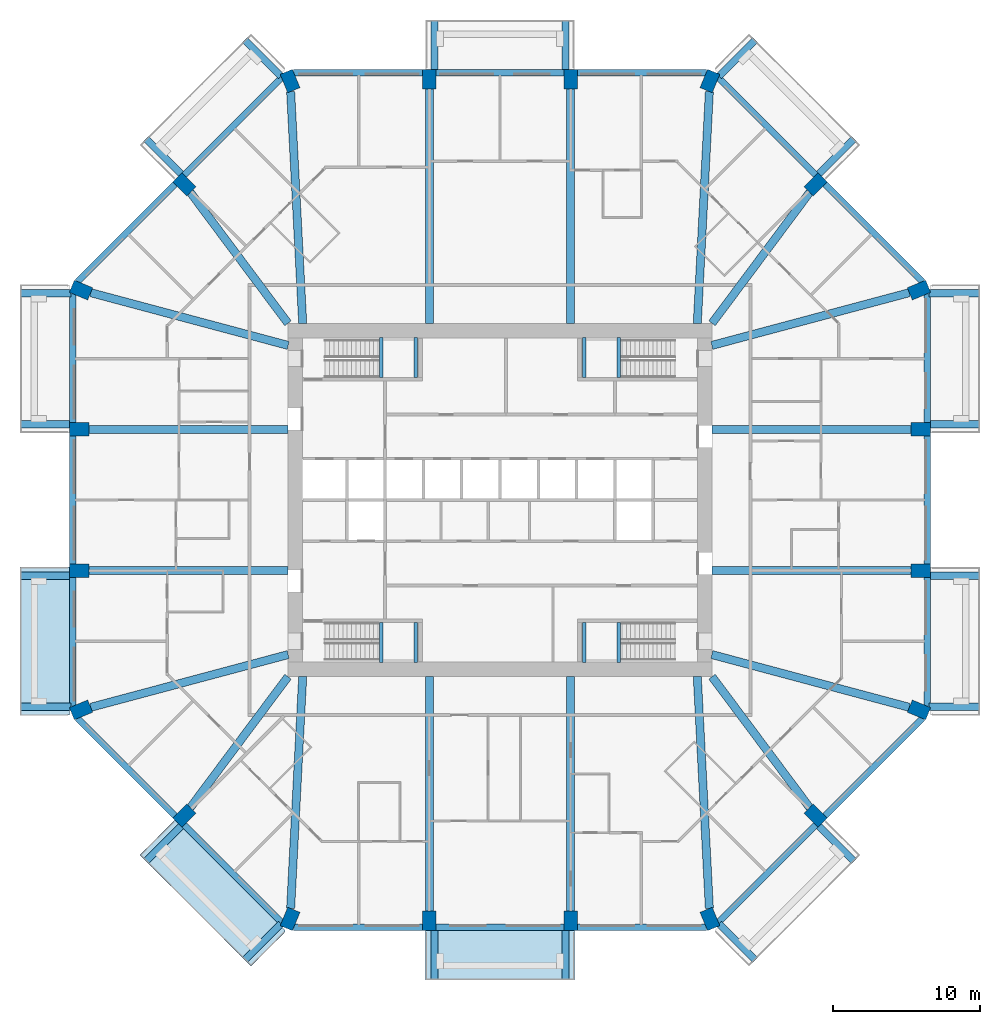
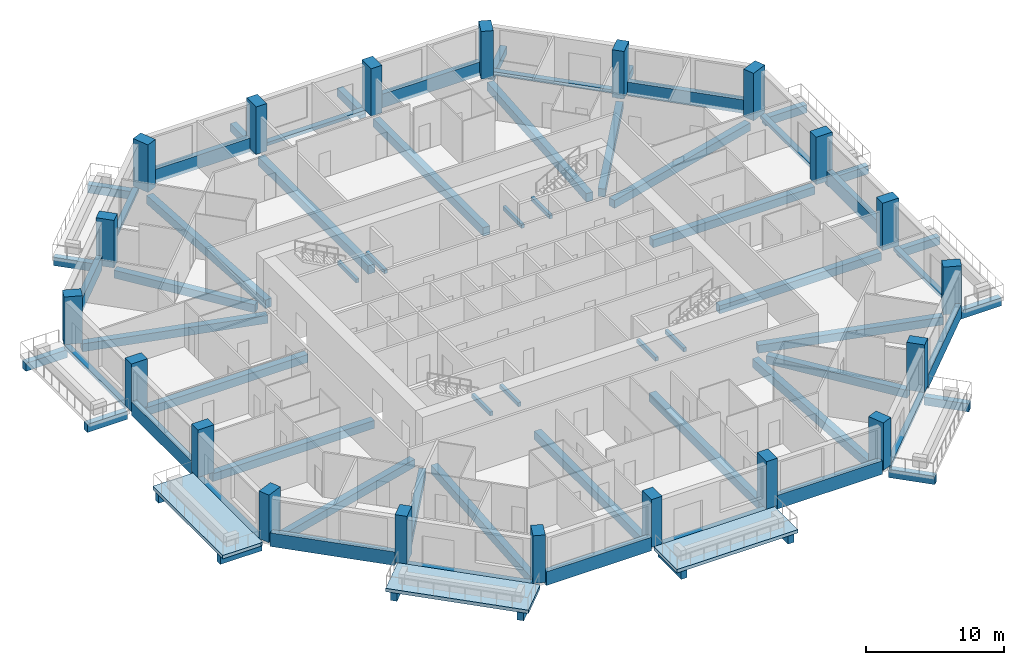
# One storey, part 1 of 13: 68 beams, 20 columns, 3 slabs.
"""IFC4 building model written with IfcOpenShell, lengths in metres."""

from ifc_helpers import new_model, si_unit, direction, frame, origin, origin_2d, place, context, subcontext, project, spatial, polyline, rectangle, outline, extrude, material, layer, layer_set, material_profile, profile_set, type_object, element, save


model = new_model("IFC4")

# Units and contexts
model_context = context("Model", 3, precision=1e-05, world=origin(), true_north=direction((0.0, 1.0)))
body_context = subcontext(model_context, "Body", "Model", "MODEL_VIEW")
ifc_project = project(units=[si_unit("LENGTHUNIT", "METRE"), si_unit("AREAUNIT", "SQUARE_METRE"), si_unit("VOLUMEUNIT", "CUBIC_METRE"), si_unit("PLANEANGLEUNIT", "RADIAN"), si_unit("MASSUNIT", "GRAM", prefix="KILO")], contexts=[model_context])

# Site, building, storey
site_placement = place(None, origin())
site = spatial("IfcSite", under=ifc_project, at=site_placement, CompositionType="ELEMENT")
building_placement = place(site_placement, origin())
building = spatial("IfcBuilding", under=site, at=building_placement, Name="Msitu Wima Residences", CompositionType="ELEMENT")
storey_placement = place(building_placement, frame((0.0, 0.0, 59.10009765625)))
storey = spatial("IfcBuildingStorey", under=building, at=storey_placement, Name="L13", CompositionType="ELEMENT", Elevation=59.10009765625)

# Columns
ifc_material_1 = material(Name="Concrete C80/95", Category="concrete")
ifc_material_profile_1 = material_profile(ifc_material_1, rectangle(XDim=0.89990234375, YDim=1.35009765625, at=origin_2d()), Name="RC 900x1350")
ifc_profile_set_1 = profile_set([ifc_material_profile_1], Name="Concrete C80/95")
column_type = type_object("IfcColumnType", Name="Column RC 900x1350 Concrete C80/95", PredefinedType="COLUMN", material=ifc_profile_set_1)
for number, where, z_axis, x_axis, name in (
    (1, (28.4541015625, -14.2568359375, 0.0), (0.0, 0.0, 1.0), (0.382683496864, 0.923879505795, 0.0), "Column L13 C-E0"),
    (2, (28.574951171875, -4.800048828125, 0.0), (0.0, 0.0, 1.0), (0.0, 1.0, 0.0), "Column L13 C-E1"),
    (3, (28.574951171875, 4.800048828125, 0.0), (0.0, 0.0, 1.0), (0.0, 1.0, 0.0), "Column L13 C-E2"),
    (4, (28.4541015625, 14.2568359375, 0.0), (0.0, 0.0, 1.0), (-0.382683496864, 0.923879505795, 0.0), "Column L13 C-NE0"),
    (5, (21.44091796875, 21.44091796875, 0.0), (0.0, 0.0, 1.0), (-0.707106781187, 0.707106781187, 0.0), "Column L13 C-NE1"),
    (6, (14.2568359375, 28.4541015625, 0.0), (0.0, 0.0, 1.0), (-0.923879505795, 0.382683496864, 0.0), "Column L13 C-N0"),
    (7, (4.800048828125, 28.574951171875, 0.0), (0.0, 0.0, 1.0), (-1.0, 0.0, 0.0), "Column L13 C-N1"),
    (8, (-4.800048828125, 28.574951171875, 0.0), (0.0, 0.0, 1.0), (-1.0, 0.0, 0.0), "Column L13 C-N2"),
    (9, (-14.2568359375, 28.4541015625, 0.0), (0.0, 0.0, 1.0), (-0.923879505795, -0.382683496864, 0.0), "Column L13 C-NW0"),
    (10, (-21.44091796875, 21.44091796875, 0.0), (0.0, 0.0, 1.0), (-0.707106781187, -0.707106781187, 0.0), "Column L13 C-NW1"),
    (11, (-28.4541015625, 14.2568359375, 0.0), (0.0, 0.0, 1.0), (-0.382683496864, -0.923879505795, 0.0), "Column L13 C-W0"),
    (12, (-28.574951171875, 4.800048828125, 0.0), (0.0, 0.0, 1.0), (0.0, -1.0, 0.0), "Column L13 C-W1"),
    (13, (-28.574951171875, -4.800048828125, 0.0), (0.0, 0.0, 1.0), (0.0, -1.0, 0.0), "Column L13 C-W2"),
    (14, (-28.4541015625, -14.2568359375, 0.0), (0.0, 0.0, 1.0), (0.382683496864, -0.923879505795, 0.0), "Column L13 C-SW0"),
    (15, (-21.44091796875, -21.44091796875, 0.0), (0.0, 0.0, 1.0), (0.707106781187, -0.707106781187, 0.0), "Column L13 C-SW1"),
    (16, (-14.2568359375, -28.4541015625, 0.0), (0.0, 0.0, 1.0), (0.923879505795, -0.382683496864, 0.0), "Column L13 C-S0"),
    (17, (-4.800048828125, -28.574951171875, 0.0), (0.0, 0.0, 1.0), (1.0, 0.0, 0.0), "Column L13 C-S1"),
    (18, (4.800048828125, -28.574951171875, 0.0), (0.0, 0.0, 1.0), (1.0, 0.0, 0.0), "Column L13 C-S2"),
    (19, (14.2568359375, -28.4541015625, 0.0), (0.0, 0.0, 1.0), (0.923879505795, 0.382683496864, 0.0), "Column L13 C-SE0"),
    (20, (21.44091796875, -21.44091796875, 0.0), (0.0, 0.0, 1.0), (0.707106781187, 0.707106781187, 0.0), "Column L13 C-SE1"),
):
    element("IfcColumn", number, at=place(storey_placement, frame(where, z_axis=z_axis, x_axis=x_axis)), inside=storey, type_object=column_type, Name=name, PredefinedType="COLUMN", context=body_context, shape_type="SweptSolid", body=[
        extrude(rectangle(XDim=0.89990234375, YDim=1.35009765625, at=origin_2d()), origin(), (0.0, 0.0, 1.0), 4.199951171875),
    ])

# Beams
ifc_material_2 = material(Name="Concrete C50/60", Category="concrete")
ifc_material_profile_2 = material_profile(ifc_material_2, rectangle(XDim=0.550048828125, YDim=0.699951171875, at=origin_2d()), Name="RC 550x700")
ifc_profile_set_2 = profile_set([ifc_material_profile_2], Name="Concrete C50/60")
beam_type_1 = type_object("IfcBeamType", Name="Beam RC 550x700 Concrete C50/60", PredefinedType="BEAM", material=ifc_profile_set_2)
beam_1_placement = place(storey_placement, frame((27.79638671875, -14.080810546875, -0.60009765625), z_axis=(-0.966081778408, 0.258236320891, 0.0), x_axis=(-0.258236320891, -0.966081778408, 0.0)))
element("IfcBeam", 21, at=beam_1_placement, inside=storey, type_object=beam_type_1, Name="Beam L13 C-E0", PredefinedType="BEAM", context=body_context, shape_type="SweptSolid", body=[
    extrude(rectangle(XDim=0.550048828125, YDim=0.699951171875, at=origin_2d()), origin(), (0.0, 0.0, 1.0), 13.878662109375),
])
for number, where, z_axis, x_axis, name in (
    (22, (27.89990234375, -4.800048828125, -0.60009765625), (-1.0, 0.0, 0.0), (0.0, -1.0, 0.0), "Beam L13 C-E1"),
    (23, (27.89990234375, 4.800048828125, -0.60009765625), (-1.0, 0.0, 0.0), (0.0, -1.0, 0.0), "Beam L13 C-E2"),
):
    element("IfcBeam", number, at=place(storey_placement, frame(where, z_axis=z_axis, x_axis=x_axis)), inside=storey, type_object=beam_type_1, Name=name, PredefinedType="BEAM", context=body_context, shape_type="SweptSolid", body=[
        extrude(rectangle(XDim=0.550048828125, YDim=0.699951171875, at=origin_2d()), origin(), (0.0, 0.0, 1.0), 13.5),
    ])
beam_2_placement = place(storey_placement, frame((27.79638671875, 14.080810546875, -0.60009765625), z_axis=(-0.966081778408, -0.258236320891, 0.0), x_axis=(0.258236320891, -0.966081778408, 0.0)))
element("IfcBeam", 24, at=beam_2_placement, inside=storey, type_object=beam_type_1, Name="Beam L13 C-NE0", PredefinedType="BEAM", context=body_context, shape_type="SweptSolid", body=[
    extrude(rectangle(XDim=0.550048828125, YDim=0.699951171875, at=origin_2d()), origin(), (0.0, 0.0, 1.0), 13.878662109375),
])
for number, where, z_axis, x_axis, name in (
    (25, (21.033203125, 20.89404296875, -0.60009765625), (-0.597850242031, -0.801607814398, 0.0), (0.801607814398, -0.597850242031, 0.0), "Beam L13 C-NE1"),
    (26, (-21.033203125, 20.89404296875, -0.60009765625), (0.597850242031, -0.801607814398, 0.0), (0.801607814398, 0.597850242031, 0.0), "Beam L13 C-NW1"),
):
    element("IfcBeam", number, at=place(storey_placement, frame(where, z_axis=z_axis, x_axis=x_axis)), inside=storey, type_object=beam_type_1, Name=name, PredefinedType="BEAM", context=body_context, shape_type="SweptSolid", body=[
        extrude(rectangle(XDim=0.550048828125, YDim=0.699951171875, at=origin_2d()), origin(), (0.0, 0.0, 1.0), 11.09521484375),
    ])
beam_3_placement = place(storey_placement, frame((-27.79638671875, 14.080810546875, -0.60009765625), z_axis=(0.966081778408, -0.258236320891, 0.0), x_axis=(0.258236320891, 0.966081778408, 0.0)))
element("IfcBeam", 27, at=beam_3_placement, inside=storey, type_object=beam_type_1, Name="Beam L13 C-W0", PredefinedType="BEAM", context=body_context, shape_type="SweptSolid", body=[
    extrude(rectangle(XDim=0.550048828125, YDim=0.699951171875, at=origin_2d()), origin(), (0.0, 0.0, 1.0), 13.878662109375),
])
for number, where, z_axis, x_axis, name in (
    (28, (-27.89990234375, 4.800048828125, -0.60009765625), (1.0, 0.0, 0.0), (0.0, 1.0, 0.0), "Beam L13 C-W1"),
    (29, (-27.89990234375, -4.800048828125, -0.60009765625), (1.0, 0.0, 0.0), (0.0, 1.0, 0.0), "Beam L13 C-W2"),
):
    element("IfcBeam", number, at=place(storey_placement, frame(where, z_axis=z_axis, x_axis=x_axis)), inside=storey, type_object=beam_type_1, Name=name, PredefinedType="BEAM", context=body_context, shape_type="SweptSolid", body=[
        extrude(rectangle(XDim=0.550048828125, YDim=0.699951171875, at=origin_2d()), origin(), (0.0, 0.0, 1.0), 13.5),
    ])
beam_4_placement = place(storey_placement, frame((-27.79638671875, -14.080810546875, -0.60009765625), z_axis=(0.966081778408, 0.258236320891, 0.0), x_axis=(-0.258236320891, 0.966081778408, 0.0)))
element("IfcBeam", 30, at=beam_4_placement, inside=storey, type_object=beam_type_1, Name="Beam L13 C-SW0", PredefinedType="BEAM", context=body_context, shape_type="SweptSolid", body=[
    extrude(rectangle(XDim=0.550048828125, YDim=0.699951171875, at=origin_2d()), origin(), (0.0, 0.0, 1.0), 13.878662109375),
])
for number, where, z_axis, x_axis, name in (
    (31, (-21.033203125, -20.89404296875, -0.60009765625), (0.597850242031, 0.801607814398, 0.0), (-0.801607814398, 0.597850242031, 0.0), "Beam L13 C-SW1"),
    (32, (21.033203125, -20.89404296875, -0.60009765625), (-0.597850242031, 0.801607814398, 0.0), (-0.801607814398, -0.597850242031, 0.0), "Beam L13 C-SE1"),
):
    element("IfcBeam", number, at=place(storey_placement, frame(where, z_axis=z_axis, x_axis=x_axis)), inside=storey, type_object=beam_type_1, Name=name, PredefinedType="BEAM", context=body_context, shape_type="SweptSolid", body=[
        extrude(rectangle(XDim=0.550048828125, YDim=0.699951171875, at=origin_2d()), origin(), (0.0, 0.0, 1.0), 11.09521484375),
    ])
ifc_material_profile_3 = material_profile(ifc_material_2, rectangle(XDim=0.550048828125, YDim=0.75, at=origin_2d()), Name="RC 550x750")
ifc_profile_set_3 = profile_set([ifc_material_profile_3], Name="Concrete C50/60")
beam_type_2 = type_object("IfcBeamType", Name="Beam RC 550x750 Concrete C50/60", PredefinedType="BEAM", material=ifc_profile_set_3)
beam_5_placement = place(storey_placement, frame((14.219482421875, 27.739013671875, -0.625), z_axis=(-0.05199418091, -0.998647387796, 0.0), x_axis=(0.998647387796, -0.05199418091, 0.0)))
element("IfcBeam", 33, at=beam_5_placement, inside=storey, type_object=beam_type_2, Name="Beam L13 C-N0", PredefinedType="BEAM", context=body_context, shape_type="SweptSolid", body=[
    extrude(rectangle(XDim=0.550048828125, YDim=0.75, at=origin_2d()), origin(), (0.0, 0.0, 1.0), 15.772216796875),
])
for number, where, z_axis, x_axis, name in (
    (34, (4.800048828125, 27.89990234375, -0.625), (0.0, -1.0, 0.0), (1.0, 0.0, 0.0), "Beam L13 C-N1"),
    (35, (-4.800048828125, 27.89990234375, -0.625), (0.0, -1.0, 0.0), (1.0, 0.0, 0.0), "Beam L13 C-N2"),
):
    element("IfcBeam", number, at=place(storey_placement, frame(where, z_axis=z_axis, x_axis=x_axis)), inside=storey, type_object=beam_type_2, Name=name, PredefinedType="BEAM", context=body_context, shape_type="SweptSolid", body=[
        extrude(rectangle(XDim=0.550048828125, YDim=0.75, at=origin_2d()), origin(), (0.0, 0.0, 1.0), 15.89990234375),
    ])
for number, where, z_axis, x_axis, name in (
    (36, (-14.219482421875, 27.739013671875, -0.625), (0.05199418091, -0.998647387796, 0.0), (0.998647387796, 0.05199418091, 0.0), "Beam L13 C-NW0"),
    (37, (-14.219482421875, -27.739013671875, -0.625), (0.05199418091, 0.998647387796, 0.0), (-0.998647387796, 0.05199418091, 0.0), "Beam L13 C-S0"),
):
    element("IfcBeam", number, at=place(storey_placement, frame(where, z_axis=z_axis, x_axis=x_axis)), inside=storey, type_object=beam_type_2, Name=name, PredefinedType="BEAM", context=body_context, shape_type="SweptSolid", body=[
        extrude(rectangle(XDim=0.550048828125, YDim=0.75, at=origin_2d()), origin(), (0.0, 0.0, 1.0), 15.772216796875),
    ])
for number, where, z_axis, x_axis, name in (
    (38, (-4.800048828125, -27.89990234375, -0.625), (0.0, 1.0, 0.0), (-1.0, 0.0, 0.0), "Beam L13 C-S1"),
    (39, (4.800048828125, -27.89990234375, -0.625), (0.0, 1.0, 0.0), (-1.0, 0.0, 0.0), "Beam L13 C-S2"),
):
    element("IfcBeam", number, at=place(storey_placement, frame(where, z_axis=z_axis, x_axis=x_axis)), inside=storey, type_object=beam_type_2, Name=name, PredefinedType="BEAM", context=body_context, shape_type="SweptSolid", body=[
        extrude(rectangle(XDim=0.550048828125, YDim=0.75, at=origin_2d()), origin(), (0.0, 0.0, 1.0), 15.89990234375),
    ])
beam_6_placement = place(storey_placement, frame((14.219482421875, -27.739013671875, -0.625), z_axis=(-0.05199418091, 0.998647387796, 0.0), x_axis=(-0.998647387796, -0.05199418091, 0.0)))
element("IfcBeam", 40, at=beam_6_placement, inside=storey, type_object=beam_type_2, Name="Beam L13 C-SE0", PredefinedType="BEAM", context=body_context, shape_type="SweptSolid", body=[
    extrude(rectangle(XDim=0.550048828125, YDim=0.75, at=origin_2d()), origin(), (0.0, 0.0, 1.0), 15.772216796875),
])
ifc_material_profile_4 = material_profile(ifc_material_2, rectangle(XDim=0.5, YDim=0.699951171875, at=origin_2d()), Name="RC 500x700")
ifc_profile_set_4 = profile_set([ifc_material_profile_4], Name="Concrete C50/60")
beam_type_3 = type_object("IfcBeamType", Name="Cantilever beam RC 500x700 Concrete C50/60", PredefinedType="BEAM", material=ifc_profile_set_4)
beam_7_placement = place(storey_placement, frame((29.130859375, -14.050048828125, -0.650146484375), z_axis=(1.0, 0.0, 0.0), x_axis=(0.0, 1.0, 0.0)))
element("IfcBeam", 41, at=beam_7_placement, inside=storey, type_object=beam_type_3, Name="Cantilever beam L13 BA-E0 A", PredefinedType="BEAM", context=body_context, shape_type="SweptSolid", body=[
    extrude(rectangle(XDim=0.5, YDim=0.699951171875, at=origin_2d()), origin(), (0.0, 0.0, 1.0), 3.46923828125),
])
for number, where, z_axis, x_axis, name in (
    (42, (29.25, -5.14990234375, -0.650146484375), (1.0, 0.0, 0.0), (0.0, 1.0, 0.0), "Cantilever beam L13 BA-E0 B"),
    (43, (29.25, 5.14990234375, -0.650146484375), (1.0, 0.0, 0.0), (0.0, 1.0, 0.0), "Cantilever beam L13 BA-E2 A"),
):
    element("IfcBeam", number, at=place(storey_placement, frame(where, z_axis=z_axis, x_axis=x_axis)), inside=storey, type_object=beam_type_3, Name=name, PredefinedType="BEAM", context=body_context, shape_type="SweptSolid", body=[
        extrude(rectangle(XDim=0.5, YDim=0.699951171875, at=origin_2d()), origin(), (0.0, 0.0, 1.0), 3.35009765625),
    ])
beam_8_placement = place(storey_placement, frame((29.130859375, 14.050048828125, -0.650146484375), z_axis=(1.0, 0.0, 0.0), x_axis=(0.0, 1.0, 0.0)))
element("IfcBeam", 44, at=beam_8_placement, inside=storey, type_object=beam_type_3, Name="Cantilever beam L13 BA-E2 B", PredefinedType="BEAM", context=body_context, shape_type="SweptSolid", body=[
    extrude(rectangle(XDim=0.5, YDim=0.699951171875, at=origin_2d()), origin(), (0.0, 0.0, 1.0), 3.46923828125),
])
beam_9_placement = place(storey_placement, frame((21.670654296875, 22.165771484375, -0.650146484375), z_axis=(0.707143219659, 0.707070340836, 0.0), x_axis=(-0.707070340836, 0.707143219659, 0.0)))
element("IfcBeam", 45, at=beam_9_placement, inside=storey, type_object=beam_type_3, Name="Cantilever beam L13 BA-NE1 A", PredefinedType="BEAM", context=body_context, shape_type="SweptSolid", body=[
    extrude(rectangle(XDim=0.5, YDim=0.699951171875, at=origin_2d()), origin(), (0.0, 0.0, 1.0), 3.349853515625),
])
beam_10_placement = place(storey_placement, frame((14.881591796875, 28.78662109375, -0.650146484375), z_axis=(0.707106781187, 0.707106781187, 0.0), x_axis=(-0.707106781187, 0.707106781187, 0.0)))
element("IfcBeam", 46, at=beam_10_placement, inside=storey, type_object=beam_type_3, Name="Cantilever beam L13 BA-NE1 B", PredefinedType="BEAM", context=body_context, shape_type="SweptSolid", body=[
    extrude(rectangle(XDim=0.5, YDim=0.699951171875, at=origin_2d()), origin(), (0.0, 0.0, 1.0), 3.468994140625),
])
for number, where, z_axis, x_axis, name in (
    (47, (4.449951171875, 29.25, -0.650146484375), (0.0, 1.0, 0.0), (-1.0, 0.0, 0.0), "Cantilever beam L13 BA-N1 A"),
    (48, (-4.449951171875, 29.25, -0.650146484375), (0.0, 1.0, 0.0), (-1.0, 0.0, 0.0), "Cantilever beam L13 BA-N1 B"),
):
    element("IfcBeam", number, at=place(storey_placement, frame(where, z_axis=z_axis, x_axis=x_axis)), inside=storey, type_object=beam_type_3, Name=name, PredefinedType="BEAM", context=body_context, shape_type="SweptSolid", body=[
        extrude(rectangle(XDim=0.5, YDim=0.699951171875, at=origin_2d()), origin(), (0.0, 0.0, 1.0), 3.35009765625),
    ])
beam_11_placement = place(storey_placement, frame((-14.881591796875, 28.78662109375, -0.650146484375), z_axis=(-0.707106781187, 0.707106781187, 0.0), x_axis=(-0.707106781187, -0.707106781187, 0.0)))
element("IfcBeam", 49, at=beam_11_placement, inside=storey, type_object=beam_type_3, Name="Cantilever beam L13 BA-NW0 A", PredefinedType="BEAM", context=body_context, shape_type="SweptSolid", body=[
    extrude(rectangle(XDim=0.5, YDim=0.699951171875, at=origin_2d()), origin(), (0.0, 0.0, 1.0), 3.468994140625),
])
beam_12_placement = place(storey_placement, frame((-21.670654296875, 22.165771484375, -0.650146484375), z_axis=(-0.707143219659, 0.707070340836, 0.0), x_axis=(-0.707070340836, -0.707143219659, 0.0)))
element("IfcBeam", 50, at=beam_12_placement, inside=storey, type_object=beam_type_3, Name="Cantilever beam L13 BA-NW0 B", PredefinedType="BEAM", context=body_context, shape_type="SweptSolid", body=[
    extrude(rectangle(XDim=0.5, YDim=0.699951171875, at=origin_2d()), origin(), (0.0, 0.0, 1.0), 3.349853515625),
])
beam_13_placement = place(storey_placement, frame((-29.130859375, 14.050048828125, -0.650146484375), z_axis=(-1.0, 0.0, 0.0), x_axis=(0.0, -1.0, 0.0)))
element("IfcBeam", 51, at=beam_13_placement, inside=storey, type_object=beam_type_3, Name="Cantilever beam L13 BA-W0 A", PredefinedType="BEAM", context=body_context, shape_type="SweptSolid", body=[
    extrude(rectangle(XDim=0.5, YDim=0.699951171875, at=origin_2d()), origin(), (0.0, 0.0, 1.0), 3.46923828125),
])
for number, where, z_axis, x_axis, name in (
    (52, (-29.25, 5.14990234375, -0.650146484375), (-1.0, 0.0, 0.0), (0.0, -1.0, 0.0), "Cantilever beam L13 BA-W0 B"),
    (53, (-29.25, -5.14990234375, -0.650146484375), (-1.0, 0.0, 0.0), (0.0, -1.0, 0.0), "Cantilever beam L13 BA-W2 A"),
):
    element("IfcBeam", number, at=place(storey_placement, frame(where, z_axis=z_axis, x_axis=x_axis)), inside=storey, type_object=beam_type_3, Name=name, PredefinedType="BEAM", context=body_context, shape_type="SweptSolid", body=[
        extrude(rectangle(XDim=0.5, YDim=0.699951171875, at=origin_2d()), origin(), (0.0, 0.0, 1.0), 3.35009765625),
    ])
beam_14_placement = place(storey_placement, frame((-29.130859375, -14.050048828125, -0.650146484375), z_axis=(-1.0, 0.0, 0.0), x_axis=(0.0, -1.0, 0.0)))
element("IfcBeam", 54, at=beam_14_placement, inside=storey, type_object=beam_type_3, Name="Cantilever beam L13 BA-W2 B", PredefinedType="BEAM", context=body_context, shape_type="SweptSolid", body=[
    extrude(rectangle(XDim=0.5, YDim=0.699951171875, at=origin_2d()), origin(), (0.0, 0.0, 1.0), 3.46923828125),
])
beam_15_placement = place(storey_placement, frame((-21.670654296875, -22.165771484375, -0.650146484375), z_axis=(-0.707143219659, -0.707070340836, 0.0), x_axis=(0.707070340836, -0.707143219659, 0.0)))
element("IfcBeam", 55, at=beam_15_placement, inside=storey, type_object=beam_type_3, Name="Cantilever beam L13 BA-SW1 A", PredefinedType="BEAM", context=body_context, shape_type="SweptSolid", body=[
    extrude(rectangle(XDim=0.5, YDim=0.699951171875, at=origin_2d()), origin(), (0.0, 0.0, 1.0), 3.349853515625),
])
beam_16_placement = place(storey_placement, frame((-14.881591796875, -28.78662109375, -0.650146484375), z_axis=(-0.707106781187, -0.707106781187, 0.0), x_axis=(0.707106781187, -0.707106781187, 0.0)))
element("IfcBeam", 56, at=beam_16_placement, inside=storey, type_object=beam_type_3, Name="Cantilever beam L13 BA-SW1 B", PredefinedType="BEAM", context=body_context, shape_type="SweptSolid", body=[
    extrude(rectangle(XDim=0.5, YDim=0.699951171875, at=origin_2d()), origin(), (0.0, 0.0, 1.0), 3.468994140625),
])
for number, where, z_axis, x_axis, name in (
    (57, (-4.449951171875, -29.25, -0.650146484375), (0.0, -1.0, 0.0), (1.0, 0.0, 0.0), "Cantilever beam L13 BA-S1 A"),
    (58, (4.449951171875, -29.25, -0.650146484375), (0.0, -1.0, 0.0), (1.0, 0.0, 0.0), "Cantilever beam L13 BA-S1 B"),
):
    element("IfcBeam", number, at=place(storey_placement, frame(where, z_axis=z_axis, x_axis=x_axis)), inside=storey, type_object=beam_type_3, Name=name, PredefinedType="BEAM", context=body_context, shape_type="SweptSolid", body=[
        extrude(rectangle(XDim=0.5, YDim=0.699951171875, at=origin_2d()), origin(), (0.0, 0.0, 1.0), 3.35009765625),
    ])
beam_17_placement = place(storey_placement, frame((14.881591796875, -28.78662109375, -0.650146484375), z_axis=(0.707106781187, -0.707106781187, 0.0), x_axis=(0.707106781187, 0.707106781187, 0.0)))
element("IfcBeam", 59, at=beam_17_placement, inside=storey, type_object=beam_type_3, Name="Cantilever beam L13 BA-SE0 A", PredefinedType="BEAM", context=body_context, shape_type="SweptSolid", body=[
    extrude(rectangle(XDim=0.5, YDim=0.699951171875, at=origin_2d()), origin(), (0.0, 0.0, 1.0), 3.468994140625),
])
beam_18_placement = place(storey_placement, frame((21.670654296875, -22.165771484375, -0.650146484375), z_axis=(0.707143219659, -0.707070340836, 0.0), x_axis=(0.707070340836, 0.707143219659, 0.0)))
element("IfcBeam", 60, at=beam_18_placement, inside=storey, type_object=beam_type_3, Name="Cantilever beam L13 BA-SE0 B", PredefinedType="BEAM", context=body_context, shape_type="SweptSolid", body=[
    extrude(rectangle(XDim=0.5, YDim=0.699951171875, at=origin_2d()), origin(), (0.0, 0.0, 1.0), 3.349853515625),
])
ifc_material_profile_5 = material_profile(ifc_material_2, rectangle(XDim=0.449951171875, YDim=0.300048828125, at=origin_2d()), Name="RC 450x300")
ifc_profile_set_5 = profile_set([ifc_material_profile_5], Name="Concrete C50/60")
beam_type_4 = type_object("IfcBeamType", Name="Edge beam RC 450x300 Concrete C50/60", PredefinedType="SPANDREL", material=ifc_profile_set_5)
for number, where, z_axis, x_axis, name in (
    (61, (29.02490234375, -14.01806640625, -0.150146484375), (0.0, 1.0, 0.0), (-1.0, 0.0, 0.0), "Spandrel L13 E0"),
    (62, (29.02490234375, 5.25, -0.150146484375), (0.0, 1.0, 0.0), (-1.0, 0.0, 0.0), "Spandrel L13 E2"),
):
    element("IfcBeam", number, at=place(storey_placement, frame(where, z_axis=z_axis, x_axis=x_axis)), inside=storey, type_object=beam_type_4, Name=name, PredefinedType="SPANDREL", context=body_context, shape_type="SweptSolid", body=[
        extrude(rectangle(XDim=0.449951171875, YDim=0.300048828125, at=origin_2d()), origin(), (0.0, 0.0, 1.0), 8.76806640625),
    ])
beam_19_placement = place(storey_placement, frame((21.44091796875, 22.077392578125, -0.150146484375), z_axis=(-0.707119836229, 0.707093725903, 0.0), x_axis=(-0.707093725903, -0.707119836229, 0.0)))
element("IfcBeam", 63, at=beam_19_placement, inside=storey, type_object=beam_type_4, Name="Spandrel L13 NE1", PredefinedType="SPANDREL", context=body_context, shape_type="SweptSolid", body=[
    extrude(rectangle(XDim=0.449951171875, YDim=0.300048828125, at=origin_2d()), origin(), (0.0, 0.0, 1.0), 9.350341796875),
])
beam_20_placement = place(storey_placement, frame((4.35009765625, 29.02490234375, -0.150146484375), z_axis=(-1.0, 0.0, 0.0), x_axis=(0.0, -1.0, 0.0)))
element("IfcBeam", 64, at=beam_20_placement, inside=storey, type_object=beam_type_4, Name="Spandrel L13 N1", PredefinedType="SPANDREL", context=body_context, shape_type="SweptSolid", body=[
    extrude(rectangle(XDim=0.449951171875, YDim=0.300048828125, at=origin_2d()), origin(), (0.0, 0.0, 1.0), 8.7001953125),
])
beam_21_placement = place(storey_placement, frame((-14.8291015625, 28.68896484375, -0.150146484375), z_axis=(-0.707119836229, -0.707093725903, 0.0), x_axis=(0.707093725903, -0.707119836229, 0.0)))
element("IfcBeam", 65, at=beam_21_placement, inside=storey, type_object=beam_type_4, Name="Spandrel L13 NW0", PredefinedType="SPANDREL", context=body_context, shape_type="SweptSolid", body=[
    extrude(rectangle(XDim=0.449951171875, YDim=0.300048828125, at=origin_2d()), origin(), (0.0, 0.0, 1.0), 9.350341796875),
])
for number, where, z_axis, x_axis, name in (
    (66, (-29.02490234375, 14.01806640625, -0.150146484375), (0.0, -1.0, 0.0), (1.0, 0.0, 0.0), "Spandrel L13 W0"),
    (67, (-29.02490234375, -5.25, -0.150146484375), (0.0, -1.0, 0.0), (1.0, 0.0, 0.0), "Spandrel L13 W2"),
):
    element("IfcBeam", number, at=place(storey_placement, frame(where, z_axis=z_axis, x_axis=x_axis)), inside=storey, type_object=beam_type_4, Name=name, PredefinedType="SPANDREL", context=body_context, shape_type="SweptSolid", body=[
        extrude(rectangle(XDim=0.449951171875, YDim=0.300048828125, at=origin_2d()), origin(), (0.0, 0.0, 1.0), 8.76806640625),
    ])
beam_22_placement = place(storey_placement, frame((-21.44091796875, -22.077392578125, -0.150146484375), z_axis=(0.707119836229, -0.707093725903, 0.0), x_axis=(0.707093725903, 0.707119836229, 0.0)))
element("IfcBeam", 68, at=beam_22_placement, inside=storey, type_object=beam_type_4, Name="Spandrel L13 SW1", PredefinedType="SPANDREL", context=body_context, shape_type="SweptSolid", body=[
    extrude(rectangle(XDim=0.449951171875, YDim=0.300048828125, at=origin_2d()), origin(), (0.0, 0.0, 1.0), 9.350341796875),
])
beam_23_placement = place(storey_placement, frame((-4.35009765625, -29.02490234375, -0.150146484375), z_axis=(1.0, 0.0, 0.0), x_axis=(0.0, 1.0, 0.0)))
element("IfcBeam", 69, at=beam_23_placement, inside=storey, type_object=beam_type_4, Name="Spandrel L13 S1", PredefinedType="SPANDREL", context=body_context, shape_type="SweptSolid", body=[
    extrude(rectangle(XDim=0.449951171875, YDim=0.300048828125, at=origin_2d()), origin(), (0.0, 0.0, 1.0), 8.7001953125),
])
beam_24_placement = place(storey_placement, frame((14.8291015625, -28.68896484375, -0.150146484375), z_axis=(0.707119836229, 0.707093725903, 0.0), x_axis=(-0.707093725903, 0.707119836229, 0.0)))
element("IfcBeam", 70, at=beam_24_placement, inside=storey, type_object=beam_type_4, Name="Spandrel L13 SE0", PredefinedType="SPANDREL", context=body_context, shape_type="SweptSolid", body=[
    extrude(rectangle(XDim=0.449951171875, YDim=0.300048828125, at=origin_2d()), origin(), (0.0, 0.0, 1.0), 9.350341796875),
])
ifc_material_3 = material(Name="Concrete C40/50", Category="concrete")
ifc_material_profile_6 = material_profile(ifc_material_3, rectangle(XDim=0.25, YDim=0.35009765625, at=origin_2d()), Name="RC 250x350")
ifc_profile_set_6 = profile_set([ifc_material_profile_6], Name="Concrete C40/50")
beam_type_5 = type_object("IfcBeamType", Name="Landing beam RC 250x350", PredefinedType="BEAM", material=ifc_profile_set_6)
for number, where, z_axis, x_axis, name in (
    (71, (-8.074951171875, 8.324951171875, 1.724853515625), (0.0, 1.0, 0.0), (-1.0, 0.0, 0.0), "Stair 1 landing beam"),
    (72, (-5.72509765625, 8.324951171875, 1.724853515625), (0.0, 1.0, 0.0), (-1.0, 0.0, 0.0), "Stair 1 landing beam"),
    (73, (-8.074951171875, -11.02490234375, 1.724853515625), (0.0, 1.0, 0.0), (-1.0, 0.0, 0.0), "Stair 2 landing beam"),
    (74, (-5.72509765625, -11.02490234375, 1.724853515625), (0.0, 1.0, 0.0), (-1.0, 0.0, 0.0), "Stair 2 landing beam"),
    (75, (8.074951171875, 8.324951171875, 1.724853515625), (0.0, 1.0, 0.0), (-1.0, 0.0, 0.0), "Stair 3 landing beam"),
    (76, (5.72509765625, 8.324951171875, 1.724853515625), (0.0, 1.0, 0.0), (-1.0, 0.0, 0.0), "Stair 3 landing beam"),
    (77, (8.074951171875, -11.02490234375, 1.724853515625), (0.0, 1.0, 0.0), (-1.0, 0.0, 0.0), "Stair 4 landing beam"),
    (78, (5.72509765625, -11.02490234375, 1.724853515625), (0.0, 1.0, 0.0), (-1.0, 0.0, 0.0), "Stair 4 landing beam"),
):
    element("IfcBeam", number, at=place(storey_placement, frame(where, z_axis=z_axis, x_axis=x_axis)), inside=storey, type_object=beam_type_5, Name=name, PredefinedType="BEAM", context=body_context, shape_type="SweptSolid", body=[
        extrude(rectangle(XDim=0.25, YDim=0.35009765625, at=origin_2d()), origin(), (0.0, 0.0, 1.0), 2.699951171875),
    ])
ifc_material_profile_7 = material_profile(ifc_material_2, rectangle(XDim=0.449951171875, YDim=1.199951171875, at=origin_2d()), Name="RC 450x1200")
ifc_profile_set_7 = profile_set([ifc_material_profile_7], Name="Concrete C50/60")
beam_type_6 = type_object("IfcBeamType", Name="Spandrel RC 450x1200 Concrete C50/60", PredefinedType="SPANDREL", material=ifc_profile_set_7)
beam_25_placement = place(storey_placement, frame((29.02490234375, -4.35009765625, 0.2998046875), z_axis=(0.0, 1.0, 0.0), x_axis=(-1.0, 0.0, 0.0)))
element("IfcBeam", 79, at=beam_25_placement, inside=storey, type_object=beam_type_6, Name="Spandrel L13 E1", PredefinedType="SPANDREL", context=body_context, shape_type="SweptSolid", body=[
    extrude(rectangle(XDim=0.449951171875, YDim=1.199951171875, at=origin_2d()), origin(), (0.0, 0.0, 1.0), 8.7001953125),
])
beam_26_placement = place(storey_placement, frame((28.68896484375, 14.8291015625, 0.2998046875), z_axis=(-0.707093725903, 0.707119836229, 0.0), x_axis=(-0.707119836229, -0.707093725903, 0.0)))
element("IfcBeam", 80, at=beam_26_placement, inside=storey, type_object=beam_type_6, Name="Spandrel L13 NE0", PredefinedType="SPANDREL", context=body_context, shape_type="SweptSolid", body=[
    extrude(rectangle(XDim=0.449951171875, YDim=1.199951171875, at=origin_2d()), origin(), (0.0, 0.0, 1.0), 9.350341796875),
])
for number, where, z_axis, x_axis, name in (
    (81, (14.01806640625, 29.02490234375, 0.2998046875), (-1.0, 0.0, 0.0), (0.0, -1.0, 0.0), "Spandrel L13 N0"),
    (82, (-5.25, 29.02490234375, 0.2998046875), (-1.0, 0.0, 0.0), (0.0, -1.0, 0.0), "Spandrel L13 N2"),
):
    element("IfcBeam", number, at=place(storey_placement, frame(where, z_axis=z_axis, x_axis=x_axis)), inside=storey, type_object=beam_type_6, Name=name, PredefinedType="SPANDREL", context=body_context, shape_type="SweptSolid", body=[
        extrude(rectangle(XDim=0.449951171875, YDim=1.199951171875, at=origin_2d()), origin(), (0.0, 0.0, 1.0), 8.76806640625),
    ])
beam_27_placement = place(storey_placement, frame((-22.077392578125, 21.44091796875, 0.2998046875), z_axis=(-0.707093725903, -0.707119836229, 0.0), x_axis=(0.707119836229, -0.707093725903, 0.0)))
element("IfcBeam", 83, at=beam_27_placement, inside=storey, type_object=beam_type_6, Name="Spandrel L13 NW1", PredefinedType="SPANDREL", context=body_context, shape_type="SweptSolid", body=[
    extrude(rectangle(XDim=0.449951171875, YDim=1.199951171875, at=origin_2d()), origin(), (0.0, 0.0, 1.0), 9.350341796875),
])
beam_28_placement = place(storey_placement, frame((-29.02490234375, 4.35009765625, 0.2998046875), z_axis=(0.0, -1.0, 0.0), x_axis=(1.0, 0.0, 0.0)))
element("IfcBeam", 84, at=beam_28_placement, inside=storey, type_object=beam_type_6, Name="Spandrel L13 W1", PredefinedType="SPANDREL", context=body_context, shape_type="SweptSolid", body=[
    extrude(rectangle(XDim=0.449951171875, YDim=1.199951171875, at=origin_2d()), origin(), (0.0, 0.0, 1.0), 8.7001953125),
])
beam_29_placement = place(storey_placement, frame((-28.68896484375, -14.8291015625, 0.2998046875), z_axis=(0.707093725903, -0.707119836229, 0.0), x_axis=(0.707119836229, 0.707093725903, 0.0)))
element("IfcBeam", 85, at=beam_29_placement, inside=storey, type_object=beam_type_6, Name="Spandrel L13 SW0", PredefinedType="SPANDREL", context=body_context, shape_type="SweptSolid", body=[
    extrude(rectangle(XDim=0.449951171875, YDim=1.199951171875, at=origin_2d()), origin(), (0.0, 0.0, 1.0), 9.350341796875),
])
for number, where, z_axis, x_axis, name in (
    (86, (-14.01806640625, -29.02490234375, 0.2998046875), (1.0, 0.0, 0.0), (0.0, 1.0, 0.0), "Spandrel L13 S0"),
    (87, (5.25, -29.02490234375, 0.2998046875), (1.0, 0.0, 0.0), (0.0, 1.0, 0.0), "Spandrel L13 S2"),
):
    element("IfcBeam", number, at=place(storey_placement, frame(where, z_axis=z_axis, x_axis=x_axis)), inside=storey, type_object=beam_type_6, Name=name, PredefinedType="SPANDREL", context=body_context, shape_type="SweptSolid", body=[
        extrude(rectangle(XDim=0.449951171875, YDim=1.199951171875, at=origin_2d()), origin(), (0.0, 0.0, 1.0), 8.76806640625),
    ])
beam_30_placement = place(storey_placement, frame((22.077392578125, -21.44091796875, 0.2998046875), z_axis=(0.707093725903, 0.707119836229, 0.0), x_axis=(-0.707119836229, 0.707093725903, 0.0)))
element("IfcBeam", 88, at=beam_30_placement, inside=storey, type_object=beam_type_6, Name="Spandrel L13 SE1", PredefinedType="SPANDREL", context=body_context, shape_type="SweptSolid", body=[
    extrude(rectangle(XDim=0.449951171875, YDim=1.199951171875, at=origin_2d()), origin(), (0.0, 0.0, 1.0), 9.350341796875),
])

# Slabs
ifc_layer = layer(ifc_material_3, 0.300048828125)
ifc_layer_set = layer_set([ifc_layer], Name="Concrete C40/50")
slab_type = type_object("IfcSlabType", Name="Balcony slab BS300", PredefinedType="FLOOR", material=ifc_layer_set)
slab_1_placement = place(storey_placement, frame((0.0, 0.0, -0.300048828125)))
element("IfcSlab", 89, at=slab_1_placement, inside=storey, type_object=slab_type, Name="Balcony W2 L13", PredefinedType="FLOOR", context=body_context, shape_type="SweptSolid", body=[
    extrude(outline(polyline([(-29.25, -14.099365234375), (-29.25, -14.099365234375), (-29.25, -14.099365234375), (-29.25, -14.58642578125), (-29.403564453125, -14.64990234375), (-32.60009765625, -14.64990234375), (-32.60009765625, -4.550048828125), (-29.25, -4.550048828125), (-29.25, -5.25), (-29.25, -14.099365234375)])), origin(), (0.0, 0.0, 1.0), 0.300048828125),
])
slab_2_placement = place(storey_placement, frame((0.0, 0.0, -0.300048828125)))
element("IfcSlab", 90, at=slab_2_placement, inside=storey, type_object=slab_type, Name="Balcony SW1 L13", PredefinedType="FLOOR", context=body_context, shape_type="SweptSolid", body=[
    extrude(outline(polyline([(-16.91015625, -31.663818359375), (-24.4638671875, -24.1103515625), (-22.094970703125, -21.741455078125), (-14.58642578125, -29.25), (-14.64990234375, -29.403564453125), (-16.91015625, -31.663818359375)])), origin(), (0.0, 0.0, 1.0), 0.300048828125),
])
slab_3_placement = place(storey_placement, frame((0.0, 0.0, -0.300048828125)))
element("IfcSlab", 91, at=slab_3_placement, inside=storey, type_object=slab_type, Name="Balcony S1 L13", PredefinedType="FLOOR", context=body_context, shape_type="SweptSolid", body=[
    extrude(outline(polyline([(-4.35009765625, -29.25), (4.35009765625, -29.25), (5.050048828125, -29.25), (5.050048828125, -32.60009765625), (-5.050048828125, -32.60009765625), (-5.050048828125, -29.25), (-4.35009765625, -29.25)])), origin(), (0.0, 0.0, 1.0), 0.300048828125),
])

save(model, "model.ifc")
